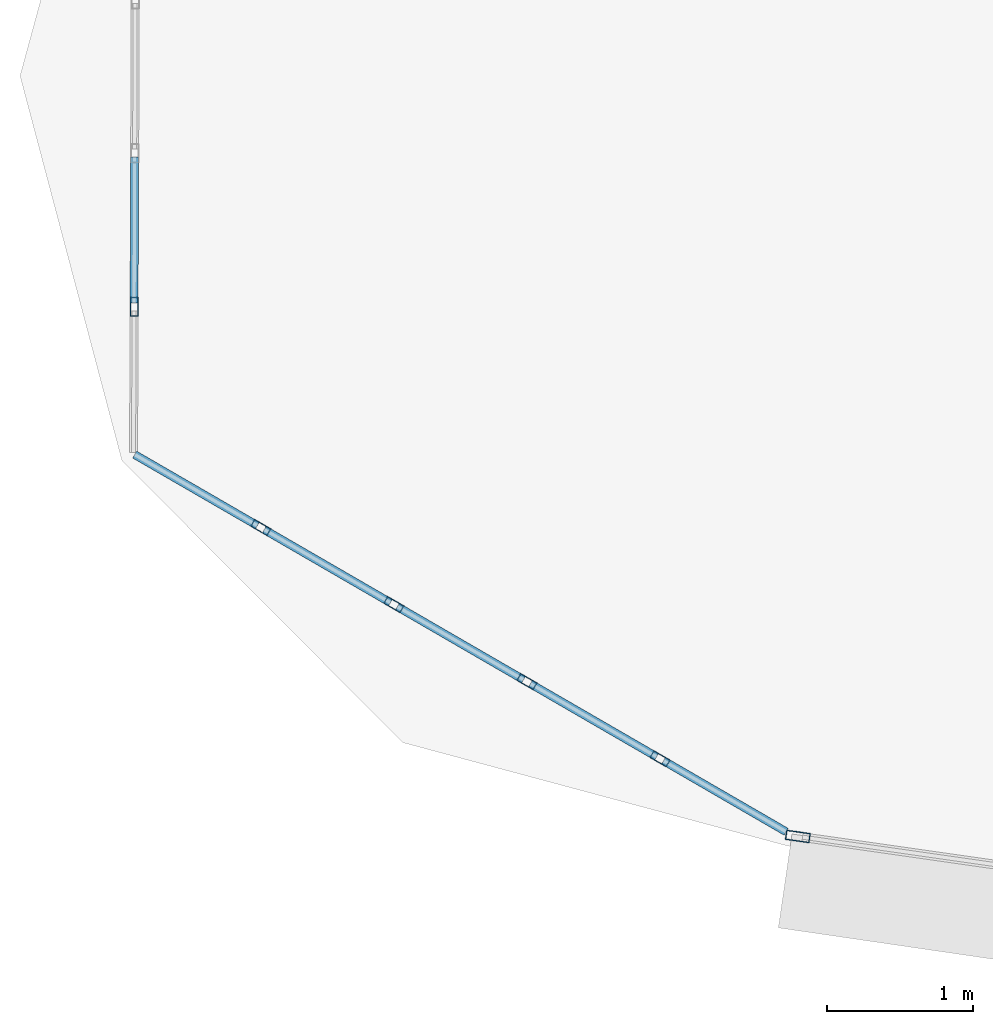
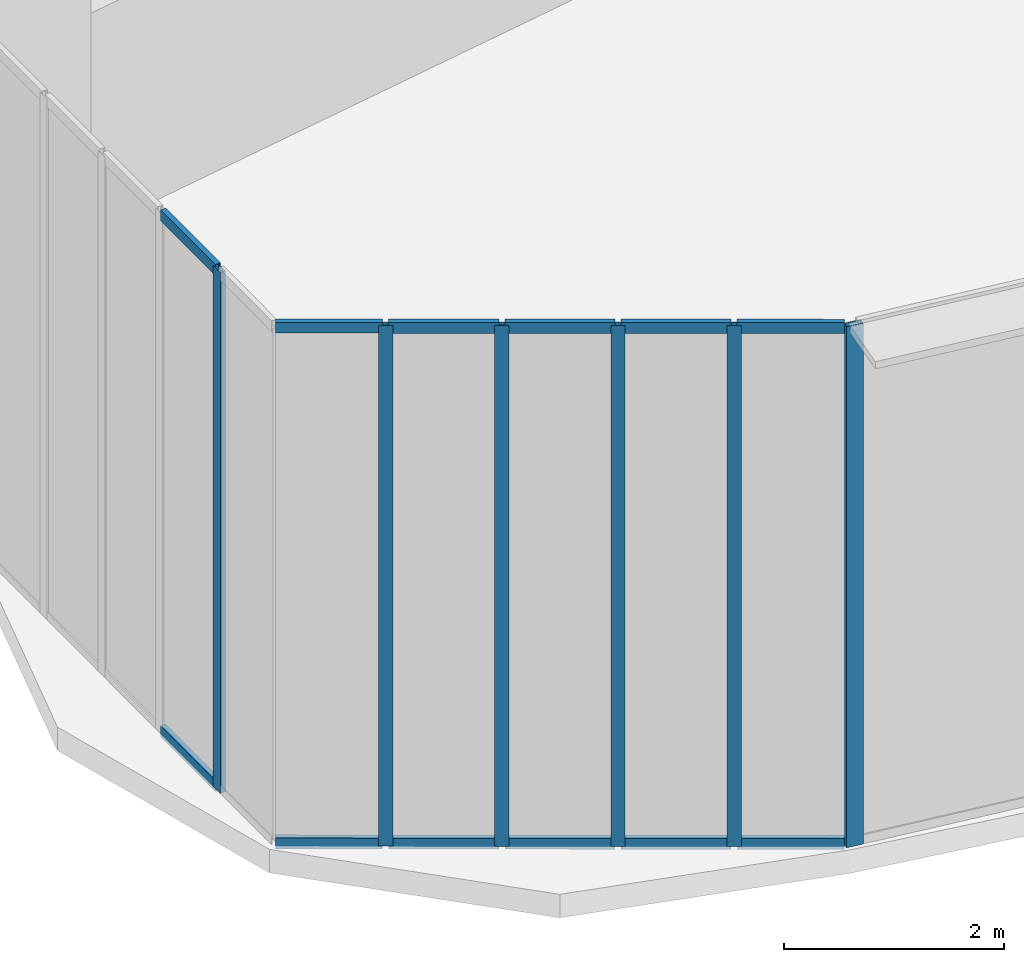
# One storey, part 2 of 41: 18 members, 3 elements without a shape of their own.
"""IFC4 building model written with IfcOpenShell, lengths in metres."""

from ifc_helpers import new_model, si_unit, direction, frame, origin, origin_2d, place, context, subcontext, project, spatial, hollow_rectangle, extrude, source, transform, mapped, material, layer, layer_set, material_profile, profile_set, type_object, element, aggregate, save


model = new_model("IFC4")

# Units and contexts
model_context = context("Model", 3, precision=1e-05, world=origin(), true_north=direction((0.0, 1.0)))
body_context = subcontext(model_context, "Body", "Model", "MODEL_VIEW")
ifc_project = project(units=[si_unit("LENGTHUNIT", "METRE"), si_unit("AREAUNIT", "SQUARE_METRE"), si_unit("VOLUMEUNIT", "CUBIC_METRE"), si_unit("PLANEANGLEUNIT", "RADIAN"), si_unit("MASSUNIT", "GRAM", prefix="KILO"), si_unit("THERMODYNAMICTEMPERATUREUNIT", "KELVIN"), si_unit("POWERUNIT", "WATT")], contexts=[model_context])

# Site, building, storey
site_placement = place(None, origin())
site = spatial("IfcSite", under=ifc_project, at=site_placement, CompositionType="ELEMENT")
building_placement = place(site_placement, origin())
building = spatial("IfcBuilding", under=site, at=building_placement, Name="Yunzhuo Pagoda Commons", CompositionType="ELEMENT")
storey_placement = place(building_placement, frame((0.0, 0.0, 70.330078125)))
storey = spatial("IfcBuildingStorey", under=building, at=storey_placement, Name="L18", CompositionType="ELEMENT", Elevation=70.330078125)

# Curtain wall, members
ifc_material = material(Name="Anodized aluminium 6063-T6", Category="aluminium")
ifc_layer_1 = layer(ifc_material, 0.1298828125)
ifc_layer_set_1 = layer_set([ifc_layer_1], Name="Anodized aluminium 6063-T6")
curtain_wall_type_1 = type_object("IfcCurtainWallType", Name="CW-VTX Rounded Corner Curtain Wall", PredefinedType="NOTDEFINED", material=ifc_layer_set_1)
curtain_wall_1_placement = place(storey_placement, origin())
curtain_wall_1 = element("IfcCurtainWall", 1, at=curtain_wall_1_placement, inside=storey, type_object=curtain_wall_type_1, Name="L18 curtain wall CW-L18-VTX1S2", PredefinedType="NOTDEFINED")
ifc_material_profile_1 = material_profile(ifc_material, hollow_rectangle(XDim=0.054931640625, YDim=0.1201171875, WallThickness=0.00341796875, at=origin_2d()), Name="Anodized aluminium 6063-T6")
ifc_profile_set_1 = profile_set([ifc_material_profile_1], Name="Anodized aluminium 6063-T6")
member_type_1 = type_object("IfcMemberType", Name="CW-VTX-T Transom RHS 120x55x3.5", PredefinedType="USERDEFINED", material=ifc_profile_set_1)
shared_shape_1 = source(origin(), body_context, "Body", "SweptSolid", [
    extrude(hollow_rectangle(XDim=0.054931640625, YDim=0.1201171875, WallThickness=0.00341796875, at=origin_2d()), origin(), (0.0, 0.0, 1.0), 0.9716796875),
])
member_1_placement = place(storey_placement, frame((5.49169921875, 17.47900390625, 0.02734375), z_axis=(0.865586796506, -0.500758921752, 0.0), x_axis=(0.500758921752, 0.865586796506, 0.0)))
member_1 = element("IfcMember", 2, at=member_1_placement, type_object=member_type_1, Name="CW transom 1.1", ObjectType="TRANSOM", PredefinedType="USERDEFINED", context=body_context, shape_type="MappedRepresentation", body=[
    mapped(shared_shape_1, transform((0.0, 0.0, 0.0), scale=1.0)),
])
member_2_placement = place(storey_placement, frame((5.49169921875, 17.47900390625, 5.742431640625), z_axis=(0.865586796506, -0.500758921752, 0.0), x_axis=(0.500758921752, 0.865586796506, 0.0)))
member_2 = element("IfcMember", 3, at=member_2_placement, type_object=member_type_1, Name="CW transom 1.2", ObjectType="TRANSOM", PredefinedType="USERDEFINED", context=body_context, shape_type="MappedRepresentation", body=[
    mapped(shared_shape_1, transform((0.0, 0.0, 0.0), scale=1.0)),
])
member_3_placement = place(storey_placement, frame((9.117431640625, 15.380126953125, 0.02734375), z_axis=(0.865305848027, -0.501244241235, 0.0), x_axis=(0.501244241235, 0.865305848027, 0.0)))
member_3 = element("IfcMember", 4, at=member_3_placement, type_object=member_type_1, Name="CW transom 5.1", ObjectType="TRANSOM", PredefinedType="USERDEFINED", context=body_context, shape_type="MappedRepresentation", body=[
    mapped(shared_shape_1, transform((0.0, 0.0, 0.0), scale=1.0)),
])
member_4_placement = place(storey_placement, frame((9.117431640625, 15.380126953125, 5.742431640625), z_axis=(0.865305848027, -0.501244241235, 0.0), x_axis=(0.501244241235, 0.865305848027, 0.0)))
member_4 = element("IfcMember", 5, at=member_4_placement, type_object=member_type_1, Name="CW transom 5.2", ObjectType="TRANSOM", PredefinedType="USERDEFINED", context=body_context, shape_type="MappedRepresentation", body=[
    mapped(shared_shape_1, transform((0.0, 0.0, 0.0), scale=1.0)),
])

curtain_wall_2_placement = place(storey_placement, origin())
curtain_wall_2 = element("IfcCurtainWall", 6, at=curtain_wall_2_placement, inside=storey, type_object=curtain_wall_type_1, Name="L18 curtain wall CW-L18-VTX1S1", PredefinedType="NOTDEFINED")
shared_shape_2 = source(origin(), body_context, "Body", "SweptSolid", [
    extrude(hollow_rectangle(XDim=0.054931640625, YDim=0.1201171875, WallThickness=0.00341796875, at=origin_2d()), origin(), (0.0, 0.0, 1.0), 0.999267578125),
])
member_5_placement = place(storey_placement, frame((5.491455078125, 19.51806640625, 0.02734375), z_axis=(-0.00366476894, -0.999993284712, 0.0), x_axis=(0.999993284712, -0.00366476894, 0.0)))
member_5 = element("IfcMember", 7, at=member_5_placement, type_object=member_type_1, Name="CW transom 4.1", ObjectType="TRANSOM", PredefinedType="USERDEFINED", context=body_context, shape_type="MappedRepresentation", body=[
    mapped(shared_shape_2, transform((0.0, 0.0, 0.0), scale=1.0)),
])
member_6_placement = place(storey_placement, frame((5.491455078125, 19.51806640625, 5.742431640625), z_axis=(-0.00366476894, -0.999993284712, 0.0), x_axis=(0.999993284712, -0.00366476894, 0.0)))
member_6 = element("IfcMember", 8, at=member_6_placement, type_object=member_type_1, Name="CW transom 4.2", ObjectType="TRANSOM", PredefinedType="USERDEFINED", context=body_context, shape_type="MappedRepresentation", body=[
    mapped(shared_shape_2, transform((0.0, 0.0, 0.0), scale=1.0)),
])

# Member
member_7_placement = place(storey_placement, frame((6.380126953125, 16.964599609375, 0.02734375), z_axis=(0.86538725222, -0.501103685574, 0.0), x_axis=(0.501103685574, 0.86538725222, 0.0)))
member_7 = element("IfcMember", 9, at=member_7_placement, type_object=member_type_1, Name="CW transom 2.1", ObjectType="TRANSOM", PredefinedType="USERDEFINED", context=body_context, shape_type="MappedRepresentation", body=[
    mapped(shared_shape_2, transform((0.0, 0.0, 0.0), scale=1.0)),
])

member_8_placement = place(storey_placement, frame((6.380126953125, 16.964599609375, 5.742431640625), z_axis=(0.86538725222, -0.501103685574, 0.0), x_axis=(0.501103685574, 0.86538725222, 0.0)))
member_8 = element("IfcMember", 10, at=member_8_placement, type_object=member_type_1, Name="CW transom 2.2", ObjectType="TRANSOM", PredefinedType="USERDEFINED", context=body_context, shape_type="MappedRepresentation", body=[
    mapped(shared_shape_2, transform((0.0, 0.0, 0.0), scale=1.0)),
])

member_9_placement = place(storey_placement, frame((8.204833984375, 15.908203125, 0.02734375), z_axis=(0.86538725222, -0.501103685574, 0.0), x_axis=(0.501103685574, 0.86538725222, 0.0)))
member_9 = element("IfcMember", 11, at=member_9_placement, type_object=member_type_1, Name="CW transom 4.1", ObjectType="TRANSOM", PredefinedType="USERDEFINED", context=body_context, shape_type="MappedRepresentation", body=[
    mapped(shared_shape_2, transform((0.0, 0.0, 0.0), scale=1.0)),
])

member_10_placement = place(storey_placement, frame((8.204833984375, 15.908203125, 5.742431640625), z_axis=(0.86538725222, -0.501103685574, 0.0), x_axis=(0.501103685574, 0.86538725222, 0.0)))
member_10 = element("IfcMember", 12, at=member_10_placement, type_object=member_type_1, Name="CW transom 4.2", ObjectType="TRANSOM", PredefinedType="USERDEFINED", context=body_context, shape_type="MappedRepresentation", body=[
    mapped(shared_shape_2, transform((0.0, 0.0, 0.0), scale=1.0)),
])

shared_shape_3 = source(origin(), body_context, "Body", "SweptSolid", [
    extrude(hollow_rectangle(XDim=0.054931640625, YDim=0.1201171875, WallThickness=0.00341796875, at=origin_2d()), origin(), (0.0, 0.0, 1.0), 0.9990234375),
])
member_11_placement = place(storey_placement, frame((7.292724609375, 16.4365234375, 0.02734375), z_axis=(0.865325882395, -0.501209653994, 0.0), x_axis=(0.501209653994, 0.865325882395, 0.0)))
member_11 = element("IfcMember", 13, at=member_11_placement, type_object=member_type_1, Name="CW transom 3.1", ObjectType="TRANSOM", PredefinedType="USERDEFINED", context=body_context, shape_type="MappedRepresentation", body=[
    mapped(shared_shape_3, transform((0.0, 0.0, 0.0), scale=1.0)),
])

member_12_placement = place(storey_placement, frame((7.292724609375, 16.4365234375, 5.742431640625), z_axis=(0.865325882395, -0.501209653994, 0.0), x_axis=(0.501209653994, 0.865325882395, 0.0)))
member_12 = element("IfcMember", 14, at=member_12_placement, type_object=member_type_1, Name="CW transom 3.2", ObjectType="TRANSOM", PredefinedType="USERDEFINED", context=body_context, shape_type="MappedRepresentation", body=[
    mapped(shared_shape_3, transform((0.0, 0.0, 0.0), scale=1.0)),
])

# Curtain wall, member
ifc_layer_2 = layer(ifc_material, 0.1650390625)
ifc_layer_set_2 = layer_set([ifc_layer_2], Name="Anodized aluminium 6063-T6")
curtain_wall_type_2 = type_object("IfcCurtainWallType", Name="CW-LOW Low-Zone Ribbon Curtain Wall", PredefinedType="NOTDEFINED", material=ifc_layer_set_2)
curtain_wall_3_placement = place(storey_placement, origin())
curtain_wall_3 = element("IfcCurtainWall", 15, at=curtain_wall_3_placement, inside=storey, type_object=curtain_wall_type_2, Name="L18 curtain wall CW-L18-F1B1", PredefinedType="NOTDEFINED")
ifc_material_profile_2 = material_profile(ifc_material, hollow_rectangle(XDim=0.06494140625, YDim=0.1650390625, WallThickness=0.00390625, at=origin_2d()), Name="Anodized aluminium 6063-T6")
ifc_profile_set_2 = profile_set([ifc_material_profile_2], Name="Anodized aluminium 6063-T6")
member_type_2 = type_object("IfcMemberType", Name="CW-LOW-M Mullion RHS 165x65x4", PredefinedType="MULLION", material=ifc_profile_set_2)
shared_shape_4 = source(origin(), body_context, "Body", "SweptSolid", [
    extrude(hollow_rectangle(XDim=0.06494140625, YDim=0.1650390625, WallThickness=0.00390625, at=origin_2d()), origin(), (0.0, 0.0, 1.0), 5.77001953125),
])
member_13_placement = place(storey_placement, frame((10.0380859375, 14.861083984375, 0.0), z_axis=(0.0, 0.0, 1.0), x_axis=(0.141139872999, 0.989989664719, 0.0)))
member_13 = element("IfcMember", 16, at=member_13_placement, type_object=member_type_2, Name="CW mullion 1", PredefinedType="MULLION", context=body_context, shape_type="MappedRepresentation", body=[
    mapped(shared_shape_4, transform((0.0, 0.0, 0.0), scale=1.0)),
])
aggregate(curtain_wall_3, [member_13])

# Member
ifc_material_profile_3 = material_profile(ifc_material, hollow_rectangle(XDim=0.054931640625, YDim=0.1298828125, WallThickness=0.00341796875, at=origin_2d()), Name="Anodized aluminium 6063-T6")
ifc_profile_set_3 = profile_set([ifc_material_profile_3], Name="Anodized aluminium 6063-T6")
member_type_3 = type_object("IfcMemberType", Name="CW-VTX-M Mullion RHS 130x55x3.5", PredefinedType="MULLION", material=ifc_profile_set_3)
shared_shape_5 = source(origin(), body_context, "Body", "SweptSolid", [
    extrude(hollow_rectangle(XDim=0.054931640625, YDim=0.1298828125, WallThickness=0.00341796875, at=origin_2d()), origin(), (0.0, 0.0, 1.0), 5.77001953125),
])
member_14_placement = place(storey_placement, frame((5.48779296875, 18.4912109375, 0.0), z_axis=(0.0, 0.0, 1.0), x_axis=(0.999993571837, -0.003585566294, 0.0)))
member_14 = element("IfcMember", 17, at=member_14_placement, type_object=member_type_3, Name="CW mullion 5", PredefinedType="MULLION", context=body_context, shape_type="MappedRepresentation", body=[
    mapped(shared_shape_5, transform((0.0, 0.0, 0.0), scale=1.0)),
])

aggregate(curtain_wall_2, [member_14, member_5, member_6])

member_15_placement = place(storey_placement, frame((6.3564453125, 16.978515625, 0.0), z_axis=(0.0, 0.0, 1.0), x_axis=(0.501038514064, 0.865424986596, 0.0)))
member_15 = element("IfcMember", 18, at=member_15_placement, type_object=member_type_3, Name="CW mullion 2", PredefinedType="MULLION", context=body_context, shape_type="MappedRepresentation", body=[
    mapped(shared_shape_5, transform((0.0, 0.0, 0.0), scale=1.0)),
])

member_16_placement = place(storey_placement, frame((7.268798828125, 16.4501953125, 0.0), z_axis=(0.0, 0.0, 1.0), x_axis=(0.501038514064, 0.865424986596, 0.0)))
member_16 = element("IfcMember", 19, at=member_16_placement, type_object=member_type_3, Name="CW mullion 3", PredefinedType="MULLION", context=body_context, shape_type="MappedRepresentation", body=[
    mapped(shared_shape_5, transform((0.0, 0.0, 0.0), scale=1.0)),
])

member_17_placement = place(storey_placement, frame((8.18115234375, 15.922119140625, 0.0), z_axis=(0.0, 0.0, 1.0), x_axis=(0.501038514064, 0.865424986596, 0.0)))
member_17 = element("IfcMember", 20, at=member_17_placement, type_object=member_type_3, Name="CW mullion 4", PredefinedType="MULLION", context=body_context, shape_type="MappedRepresentation", body=[
    mapped(shared_shape_5, transform((0.0, 0.0, 0.0), scale=1.0)),
])

member_18_placement = place(storey_placement, frame((9.093505859375, 15.393798828125, 0.0), z_axis=(0.0, 0.0, 1.0), x_axis=(0.501038514064, 0.865424986596, 0.0)))
member_18 = element("IfcMember", 21, at=member_18_placement, type_object=member_type_3, Name="CW mullion 5", PredefinedType="MULLION", context=body_context, shape_type="MappedRepresentation", body=[
    mapped(shared_shape_5, transform((0.0, 0.0, 0.0), scale=1.0)),
])

aggregate(curtain_wall_1, [member_15, member_16, member_17, member_18, member_1, member_2, member_7, member_8, member_11, member_12, member_9, member_10, member_3, member_4])

save(model, "model.ifc")
